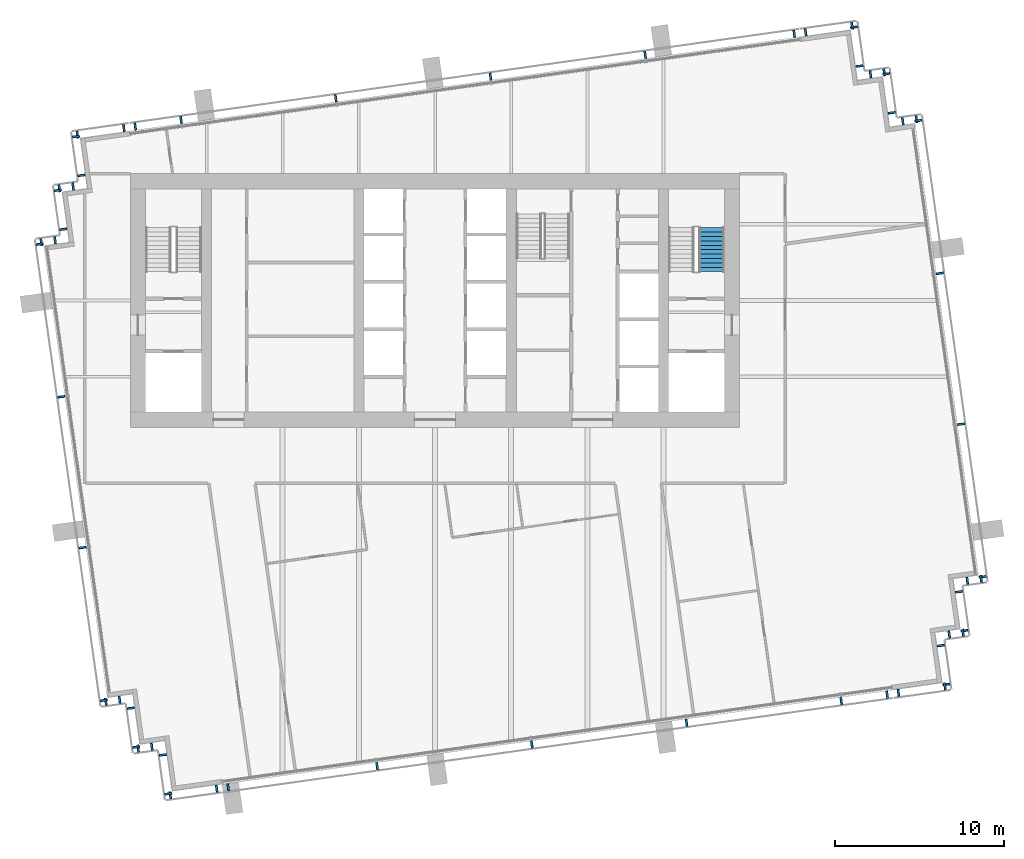
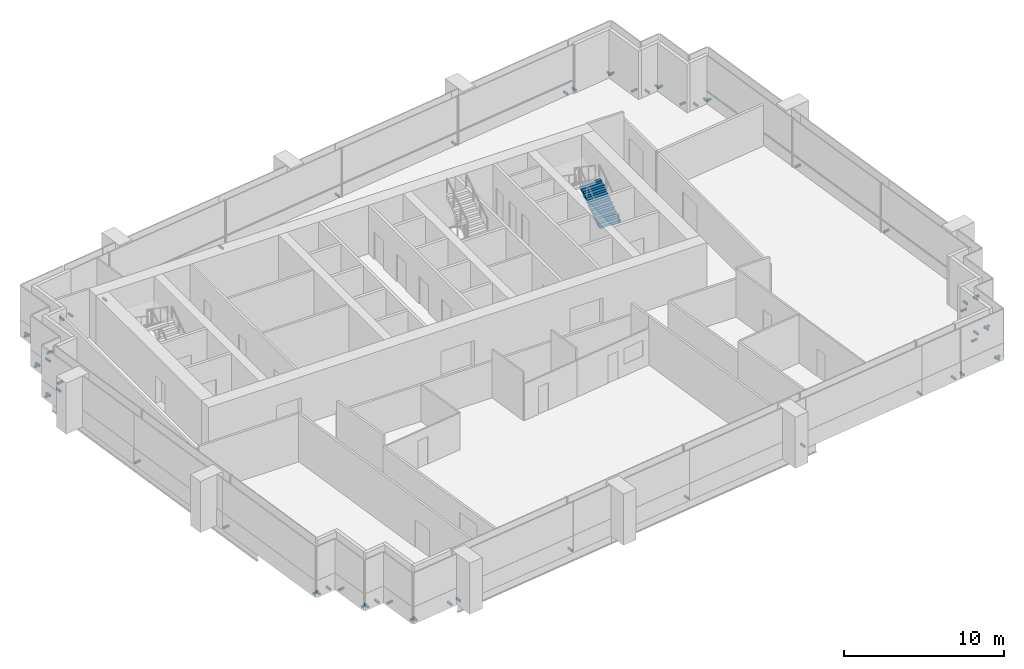
# One storey, part 12 of 17: 60 discrete accessories, 1 stair flight, 1 element without a shape of its own.
"""IFC4 building model written with IfcOpenShell, lengths in metres."""

from ifc_helpers import new_model, si_unit, direction, frame, origin, origin_2d, place, context, subcontext, project, spatial, polyline, rectangle, outline, extrude, material, type_object, element, aggregate, save


model = new_model("IFC4")

# Units and contexts
model_context = context("Model", 3, precision=1e-05, world=origin(), true_north=direction((0.0, 1.0)))
body_context = subcontext(model_context, "Body", "Model", "MODEL_VIEW")
ifc_project = project(units=[si_unit("LENGTHUNIT", "METRE"), si_unit("AREAUNIT", "SQUARE_METRE"), si_unit("VOLUMEUNIT", "CUBIC_METRE"), si_unit("PLANEANGLEUNIT", "RADIAN"), si_unit("MASSUNIT", "GRAM", prefix="KILO")], contexts=[model_context])

# Site, building, storey
site_placement = place(None, origin())
site = spatial("IfcSite", under=ifc_project, at=site_placement, CompositionType="ELEMENT")
building_placement = place(site_placement, origin())
building = spatial("IfcBuilding", under=site, at=building_placement, Name="Rattan Terrace Tower", CompositionType="ELEMENT")
storey_placement = place(building_placement, frame((0.0, 0.0, 221.300048828125)))
storey = spatial("IfcBuildingStorey", under=building, at=storey_placement, Name="L50", CompositionType="ELEMENT", Elevation=221.300048828125)

# Stair, stair flight
ifc_material_1 = material(Name="Concrete C40/50", Category="concrete")
stair_type = type_object("IfcStairType", Name="Core exit stair 1500", PredefinedType="HALF_TURN_STAIR", material=ifc_material_1)
stair_placement = place(storey_placement, origin())
stair = element("IfcStair", 1, at=stair_placement, inside=storey, type_object=stair_type, Name="L50 exit stair 2", PredefinedType="HALF_TURN_STAIR")
ifc_material_2 = material(Name="Concrete C40/50", Category="concrete")
stair_flight_type = type_object("IfcStairFlightType", Name="Core exit stair flight 1500", PredefinedType="STRAIGHT", material=ifc_material_2)
stair_flight_placement = place(storey_placement, frame((16.35009765625, 1.699951171875, 0.0), z_axis=(0.0, 0.0, 1.0), x_axis=(0.0, 1.0, 0.0)))
stair_flight = element("IfcStairFlight", 2, at=stair_flight_placement, type_object=stair_flight_type, Name="S2 flight 1", NumberOfRisers=11, NumberOfTreads=10, PredefinedType="STRAIGHT", RiserHeight=0.177272727, TreadLength=0.26, context=body_context, shape_type="SweptSolid", body=[
    extrude(outline(polyline([(0.0, 0.0), (0.0, 0.17724609375), (0.260009765625, 0.17724609375), (0.260009765625, 0.3544921875), (0.52001953125, 0.3544921875), (0.52001953125, 0.53173828125), (0.780029296875, 0.53173828125), (0.780029296875, 0.708984375), (1.0400390625, 0.708984375), (1.0400390625, 0.886474609375), (1.300048828125, 0.886474609375), (1.300048828125, 1.063720703125), (1.56005859375, 1.063720703125), (1.56005859375, 1.240966796875), (1.820068359375, 1.240966796875), (1.820068359375, 1.418212890625), (2.080078125, 1.418212890625), (2.080078125, 1.595458984375), (2.340087890625, 1.595458984375), (2.340087890625, 1.772705078125), (2.60009765625, 1.772705078125), (2.60009765625, 1.949951171875), (2.60009765625, 1.59130859375), (0.26611328125, 0.0), (0.0, 0.0)])), frame((0.0, 0.75, 0.0), z_axis=(0.0, -1.0, 0.0), x_axis=(1.0, 0.0, 0.0)), (0.0, 0.0, 1.0), 1.5),
])
aggregate(stair, [stair_flight])

# Discrete accessories
for number, where, z_axis, x_axis, name in (
    (3, (27.385009765625, -23.1875, -0.169921875), (0.0, 0.0, 1.0), (0.990247240581, 0.139321220646, 0.0), "Panel bracket L50-1"),
    (4, (30.1279296875, -22.8017578125, -0.169921875), (0.0, 0.0, 1.0), (0.990247240581, 0.139321220646, 0.0), "Panel bracket L50-2"),
    (5, (30.213134765625, -22.6884765625, -0.169921875), (0.0, 0.0, 1.0), (-0.138994363123, 0.990293172258, 0.0), "Panel bracket L50-3"),
    (6, (29.890869140625, -20.391357421875, -0.169921875), (0.0, 0.0, 1.0), (-0.138994363123, 0.990293172258, 0.0), "Panel bracket L50-4"),
    (7, (30.384521484375, -19.736328125, -0.169921875), (0.0, 0.0, 1.0), (0.990332587523, 0.138713251317, 0.0), "Panel bracket L50-5"),
    (8, (31.1962890625, -19.62255859375, -0.169921875), (0.0, 0.0, 1.0), (0.990332587523, 0.138713251317, 0.0), "Panel bracket L50-6"),
    (9, (31.28125, -19.510009765625, -0.169921875), (0.0, 0.0, 1.0), (-0.139321220646, 0.990247240581, 0.0), "Panel bracket L50-7"),
    (10, (30.9580078125, -17.212158203125, -0.169921875), (0.0, 0.0, 1.0), (-0.139321220646, 0.990247240581, 0.0), "Panel bracket L50-8"),
    (11, (31.45166015625, -16.556884765625, -0.169921875), (0.0, 0.0, 1.0), (0.99025370695, 0.139275252184, 0.0), "Panel bracket L50-9"),
    (12, (32.26416015625, -16.442626953125, -0.169921875), (0.0, 0.0, 1.0), (0.99025370695, 0.139275252184, 0.0), "Panel bracket L50-10"),
    (13, (32.349365234375, -16.32958984375, -0.169921875), (0.0, 0.0, 1.0), (-0.139186165309, 0.990266232579, 0.0), "Panel bracket L50-11"),
    (14, (31.081298828125, -7.308349609375, -0.169921875), (0.0, 0.0, 1.0), (-0.139186165309, 0.990266232579, 0.0), "Panel bracket L50-12"),
    (15, (29.82861328125, 1.60400390625, -0.169921875), (0.0, 0.0, 1.0), (-0.139186165309, 0.990266232579, 0.0), "Panel bracket L50-13"),
    (16, (28.560546875, 10.625244140625, -0.169921875), (0.0, 0.0, 1.0), (-0.139186165309, 0.990266232579, 0.0), "Panel bracket L50-14"),
    (17, (28.44775390625, 10.710205078125, -0.169921875), (0.0, 0.0, 1.0), (-0.990240767803, -0.139367219175, 0.0), "Panel bracket L50-15"),
    (18, (27.635986328125, 10.595947265625, -0.169921875), (0.0, 0.0, 1.0), (-0.990240767803, -0.139367219175, 0.0), "Panel bracket L50-16"),
    (19, (26.98095703125, 11.089599609375, -0.169921875), (0.0, 0.0, 1.0), (-0.139321220646, 0.990247240581, 0.0), "Panel bracket L50-17"),
    (20, (26.65771484375, 13.38720703125, -0.169921875), (0.0, 0.0, 1.0), (-0.139321220646, 0.990247240581, 0.0), "Panel bracket L50-18"),
    (21, (26.544677734375, 13.47216796875, -0.169921875), (0.0, 0.0, 1.0), (-0.990240767803, -0.139367219175, 0.0), "Panel bracket L50-19"),
    (22, (25.733154296875, 13.358154296875, -0.169921875), (0.0, 0.0, 1.0), (-0.990240767803, -0.139367219175, 0.0), "Panel bracket L50-20"),
    (23, (25.077880859375, 13.8515625, -0.169921875), (0.0, 0.0, 1.0), (-0.139321220646, 0.990247240581, 0.0), "Panel bracket L50-21"),
    (24, (24.754638671875, 16.14892578125, -0.169921875), (0.0, 0.0, 1.0), (-0.139321220646, 0.990247240581, 0.0), "Panel bracket L50-22"),
    (25, (24.6416015625, 16.234130859375, -0.169921875), (0.0, 0.0, 1.0), (-0.990293172258, -0.138994363123, 0.0), "Panel bracket L50-23"),
    (26, (21.8984375, 15.84912109375, -0.169921875), (0.0, 0.0, 1.0), (-0.990293172258, -0.138994363123, 0.0), "Panel bracket L50-24"),
    (27, (21.22509765625, 15.754638671875, -0.169921875), (0.0, 0.0, 1.0), (-0.990267457022, -0.139177453499, 0.0), "Panel bracket L50-25"),
    (28, (12.420654296875, 14.517333984375, -0.169921875), (0.0, 0.0, 1.0), (-0.990267457022, -0.139177453499, 0.0), "Panel bracket L50-26"),
    (29, (3.279541015625, 13.232421875, -0.169921875), (0.0, 0.0, 1.0), (-0.990267457022, -0.139177453499, 0.0), "Panel bracket L50-27"),
    (30, (-5.861572265625, 11.94775390625, -0.169921875), (0.0, 0.0, 1.0), (-0.990267457022, -0.139177453499, 0.0), "Panel bracket L50-28"),
    (31, (-15.0029296875, 10.6630859375, -0.169921875), (0.0, 0.0, 1.0), (-0.990267457022, -0.139177453499, 0.0), "Panel bracket L50-29"),
    (32, (-17.711669921875, 10.2822265625, -0.169921875), (0.0, 0.0, 1.0), (-0.990267457022, -0.139177453499, 0.0), "Panel bracket L50-30"),
    (33, (-18.385009765625, 10.1875, -0.169921875), (0.0, 0.0, 1.0), (-0.990247240581, -0.139321220646, 0.0), "Panel bracket L50-31"),
    (34, (-21.1279296875, 9.8017578125, -0.169921875), (0.0, 0.0, 1.0), (-0.990247240581, -0.139321220646, 0.0), "Panel bracket L50-32"),
    (35, (-21.213134765625, 9.6884765625, -0.169921875), (0.0, 0.0, 1.0), (0.138994363123, -0.990293172258, 0.0), "Panel bracket L50-33"),
    (36, (-20.890869140625, 7.391357421875, -0.169921875), (0.0, 0.0, 1.0), (0.138994363123, -0.990293172258, 0.0), "Panel bracket L50-34"),
    (37, (-21.384521484375, 6.736328125, -0.169921875), (0.0, 0.0, 1.0), (-0.990332587523, -0.138713251317, 0.0), "Panel bracket L50-35"),
    (38, (-22.1962890625, 6.62255859375, -0.169921875), (0.0, 0.0, 1.0), (-0.990332587523, -0.138713251317, 0.0), "Panel bracket L50-36"),
    (39, (-22.28125, 6.510009765625, -0.169921875), (0.0, 0.0, 1.0), (0.139321220646, -0.990247240581, 0.0), "Panel bracket L50-37"),
    (40, (-21.9580078125, 4.212158203125, -0.169921875), (0.0, 0.0, 1.0), (0.139321220646, -0.990247240581, 0.0), "Panel bracket L50-38"),
    (41, (-22.45166015625, 3.556884765625, -0.169921875), (0.0, 0.0, 1.0), (-0.99025370695, -0.139275252184, 0.0), "Panel bracket L50-39"),
    (42, (-23.26416015625, 3.442626953125, -0.169921875), (0.0, 0.0, 1.0), (-0.99025370695, -0.139275252184, 0.0), "Panel bracket L50-40"),
    (43, (-23.349365234375, 3.32958984375, -0.169921875), (0.0, 0.0, 1.0), (0.139186165309, -0.990266232579, 0.0), "Panel bracket L50-41"),
    (44, (-22.081298828125, -5.691650390625, -0.169921875), (0.0, 0.0, 1.0), (0.139186165309, -0.990266232579, 0.0), "Panel bracket L50-42"),
    (45, (-20.82861328125, -14.60400390625, -0.169921875), (0.0, 0.0, 1.0), (0.139186165309, -0.990266232579, 0.0), "Panel bracket L50-43"),
    (46, (-19.560546875, -23.625244140625, -0.169921875), (0.0, 0.0, 1.0), (0.139186165309, -0.990266232579, 0.0), "Panel bracket L50-44"),
    (47, (-19.44775390625, -23.710205078125, -0.169921875), (0.0, 0.0, 1.0), (0.990240767803, 0.139367219175, 0.0), "Panel bracket L50-45"),
    (48, (-18.635986328125, -23.595947265625, -0.169921875), (0.0, 0.0, 1.0), (0.990240767803, 0.139367219175, 0.0), "Panel bracket L50-46"),
    (49, (-17.98095703125, -24.089599609375, -0.169921875), (0.0, 0.0, 1.0), (0.139321220646, -0.990247240581, 0.0), "Panel bracket L50-47"),
    (50, (-17.65771484375, -26.38720703125, -0.169921875), (0.0, 0.0, 1.0), (0.139321220646, -0.990247240581, 0.0), "Panel bracket L50-48"),
    (51, (-17.544677734375, -26.47216796875, -0.169921875), (0.0, 0.0, 1.0), (0.990240767803, 0.139367219175, 0.0), "Panel bracket L50-49"),
    (52, (-16.733154296875, -26.358154296875, -0.169921875), (0.0, 0.0, 1.0), (0.990240767803, 0.139367219175, 0.0), "Panel bracket L50-50"),
    (53, (-16.077880859375, -26.8515625, -0.169921875), (0.0, 0.0, 1.0), (0.139321220646, -0.990247240581, 0.0), "Panel bracket L50-51"),
    (54, (-15.754638671875, -29.14892578125, -0.169921875), (0.0, 0.0, 1.0), (0.139321220646, -0.990247240581, 0.0), "Panel bracket L50-52"),
    (55, (-15.6416015625, -29.234130859375, -0.169921875), (0.0, 0.0, 1.0), (0.990293172258, 0.138994363123, 0.0), "Panel bracket L50-53"),
    (56, (-12.8984375, -28.84912109375, -0.169921875), (0.0, 0.0, 1.0), (0.990293172258, 0.138994363123, 0.0), "Panel bracket L50-54"),
    (57, (-12.22509765625, -28.754638671875, -0.169921875), (0.0, 0.0, 1.0), (0.990267457022, 0.139177453499, 0.0), "Panel bracket L50-55"),
    (58, (-3.420654296875, -27.517333984375, -0.169921875), (0.0, 0.0, 1.0), (0.990267457022, 0.139177453499, 0.0), "Panel bracket L50-56"),
    (59, (5.720458984375, -26.232421875, -0.169921875), (0.0, 0.0, 1.0), (0.990267457022, 0.139177453499, 0.0), "Panel bracket L50-57"),
    (60, (14.861572265625, -24.94775390625, -0.169921875), (0.0, 0.0, 1.0), (0.990267457022, 0.139177453499, 0.0), "Panel bracket L50-58"),
    (61, (24.0029296875, -23.6630859375, -0.169921875), (0.0, 0.0, 1.0), (0.990267457022, 0.139177453499, 0.0), "Panel bracket L50-59"),
    (62, (26.711669921875, -23.2822265625, -0.169921875), (0.0, 0.0, 1.0), (0.990267457022, 0.139177453499, 0.0), "Panel bracket L50-60"),
):
    element("IfcDiscreteAccessory", number, at=place(storey_placement, frame(where, z_axis=z_axis, x_axis=x_axis)), inside=storey, Name=name, PredefinedType="BRACKET", context=body_context, shape_type="SweptSolid", body=[
        extrude(rectangle(XDim=0.1201171875, YDim=0.419921875, at=origin_2d()), origin(), (0.0, 0.0, 1.0), 0.139892578125),
    ])

save(model, "model.ifc")
